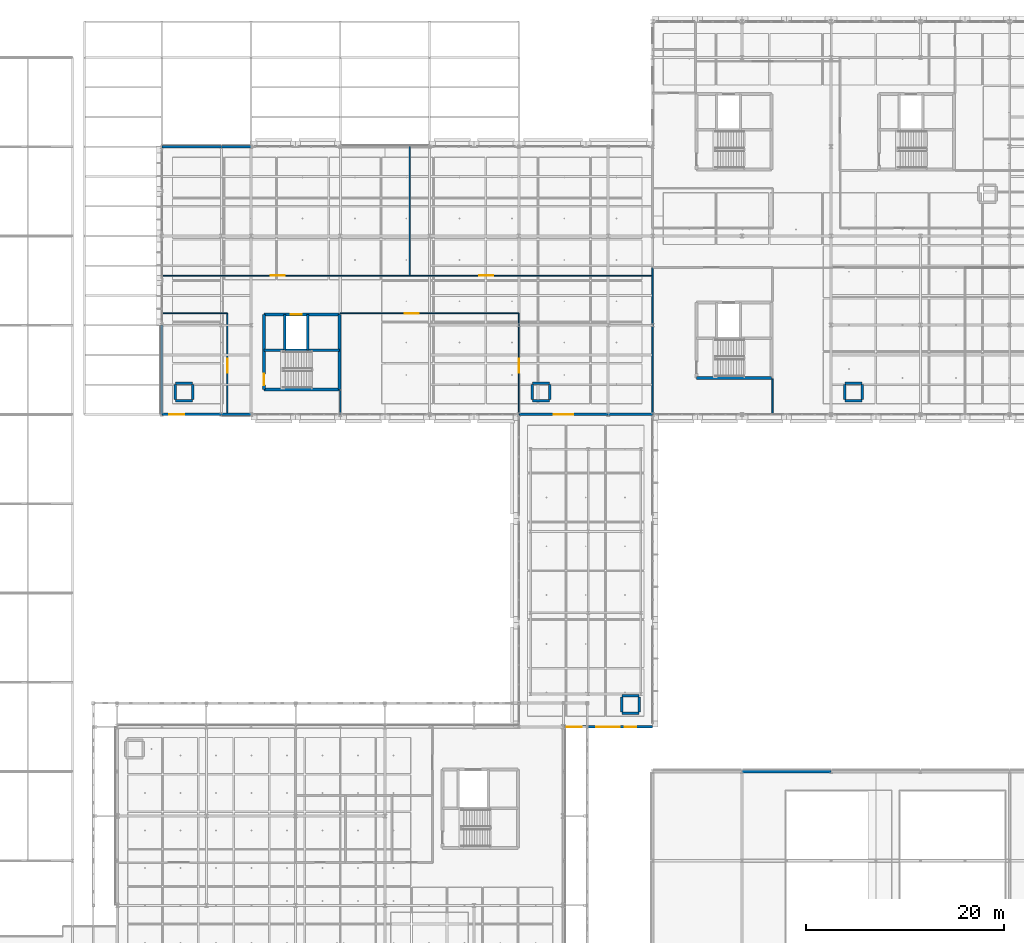
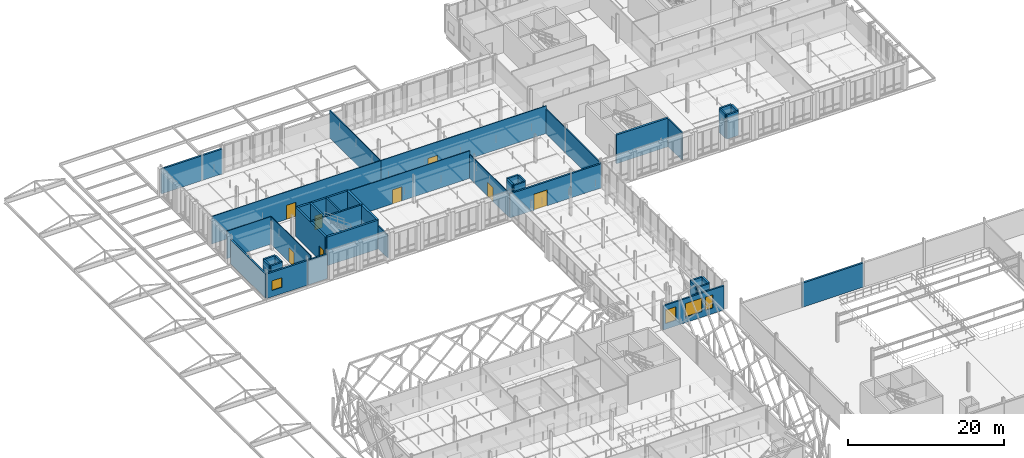
# One storey, part 91 of 140: 43 walls, 8 doors, 4 windows, 12 openings.
"""IFC4 building model written with IfcOpenShell, lengths in metres."""

from ifc_helpers import new_model, si_unit, direction, frame, frame_2d, origin, place, context, subcontext, project, spatial, rectangle, extrude, material, layer, layer_set, type_object, element, fill, save


model = new_model("IFC4")

# Units and contexts
model_context = context("Model", 3, precision=1e-05, world=origin(), true_north=direction((0.0, 1.0)))
body_context = subcontext(model_context, "Body", "Model", "MODEL_VIEW")
ifc_project = project(units=[si_unit("LENGTHUNIT", "METRE"), si_unit("AREAUNIT", "SQUARE_METRE"), si_unit("VOLUMEUNIT", "CUBIC_METRE"), si_unit("PLANEANGLEUNIT", "RADIAN"), si_unit("MASSUNIT", "GRAM", prefix="KILO"), si_unit("THERMODYNAMICTEMPERATUREUNIT", "KELVIN"), si_unit("POWERUNIT", "WATT")], contexts=[model_context])

# Site, building, storey
site_placement = place(None, origin())
site = spatial("IfcSite", under=ifc_project, at=site_placement, CompositionType="ELEMENT")
building_placement = place(site_placement, origin())
building = spatial("IfcBuilding", under=site, at=building_placement, Name="Tallowbark Science Centre", CompositionType="ELEMENT")
storey_placement = place(building_placement, frame((0.0, 0.0, 9.89990234375)))
storey = spatial("IfcBuildingStorey", under=building, at=storey_placement, Name="L02", CompositionType="ELEMENT", Elevation=9.89990234375)

# Wall, openings, windows
ifc_material_1 = material(Name="Hawkesbury Sandstone Faced Masonry Cavity Wall", Category="masonry")
ifc_layer_1 = layer(ifc_material_1, 0.22998046875)
ifc_layer_set_1 = layer_set([ifc_layer_1], Name="Hawkesbury Sandstone Faced Masonry Cavity Wall")
wall_type_1 = type_object("IfcWallType", Name="EWL-MAS-230", PredefinedType="STANDARD", material=ifc_layer_set_1)
wall_1_placement = place(storey_placement, frame((103.5, 40.5, 0.0), z_axis=(0.0, 0.0, 1.0), x_axis=(1.0, 0.0, 0.0)))
wall_1 = element("IfcWall", 1, at=wall_1_placement, inside=storey, type_object=wall_type_1, Name="Exterior Wall LNK-S-L02", PredefinedType="STANDARD", context=body_context, shape_type="SweptSolid", body=[
    extrude(rectangle(XDim=9.0, YDim=0.22998046875, at=frame_2d((4.5, 0.0))), origin(), (0.0, 0.0, 1.0), 3.78125),
])
opening_1_placement = place(wall_1_placement, frame((3.300048828125, 0.0, 0.89990234375)))
opening_1 = element("IfcOpeningElement", 2, at=opening_1_placement, cuts=wall_1, Name="Opening W-06", PredefinedType="OPENING", context=body_context, shape_type="SweptSolid", body=[
    extrude(rectangle(XDim=2.39990234375, YDim=2.10009765625, at=frame_2d((1.199951171875, 1.050048828125))), frame((0.0, 0.125, 0.0), z_axis=(0.0, -1.0, 0.0), x_axis=(1.0, 0.0, 0.0)), (0.0, 0.0, 1.0), 0.25),
])
opening_2_placement = place(wall_1_placement, frame((0.35009765625, 0.0, 0.89990234375)))
opening_2 = element("IfcOpeningElement", 3, at=opening_2_placement, cuts=wall_1, Name="Opening W-03", PredefinedType="OPENING", context=body_context, shape_type="SweptSolid", body=[
    extrude(rectangle(XDim=1.5, YDim=2.10009765625, at=frame_2d((0.75, 1.050048828125))), frame((0.0, 0.125, 0.0), z_axis=(0.0, -1.0, 0.0), x_axis=(1.0, 0.0, 0.0)), (0.0, 0.0, 1.0), 0.25),
])
opening_3_placement = place(wall_1_placement, frame((6.199951171875, 0.0, 0.89990234375)))
opening_3 = element("IfcOpeningElement", 4, at=opening_3_placement, cuts=wall_1, Name="Opening WS-03", PredefinedType="OPENING", context=body_context, shape_type="SweptSolid", body=[
    extrude(rectangle(XDim=1.14990234375, YDim=2.050048828125, at=frame_2d((0.574951171875, 1.02490234375))), frame((0.0, 0.125, 0.0), z_axis=(0.0, -1.0, 0.0), x_axis=(1.0, 0.0, 0.0)), (0.0, 0.0, 1.0), 0.25),
])
ifc_material_2 = material(Name="Thermally Broken Aluminium and Low-E Double Glazing", Category="aluminium")
window_type_1 = type_object("IfcWindowType", Name="WIN-F150x210", PartitioningType="SINGLE_PANEL", PredefinedType="WINDOW", material=ifc_material_2)
window_1_placement = place(opening_2_placement, origin())
window_1 = element("IfcWindow", 5, at=window_1_placement, inside=storey, type_object=window_type_1, Name="Window XOP-03", OverallHeight=2.10009765625, OverallWidth=1.5, PartitioningType="SINGLE_PANEL", PredefinedType="WINDOW", context=body_context, shape_type="SweptSolid", body=[
    extrude(rectangle(XDim=1.5, YDim=2.10009765625, at=frame_2d((0.75, 1.050048828125))), frame((0.0, 0.030029296875, 0.0), z_axis=(0.0, -1.0, 0.0), x_axis=(1.0, 0.0, 0.0)), (0.0, 0.0, 1.0), 0.06005859375),
])
fill(opening_2, window_1)
window_type_2 = type_object("IfcWindowType", Name="WIN-F240x210", PartitioningType="SINGLE_PANEL", PredefinedType="WINDOW", material=ifc_material_2)
window_2_placement = place(opening_1_placement, origin())
window_2 = element("IfcWindow", 6, at=window_2_placement, inside=storey, type_object=window_type_2, Name="Window WIN-L02-0021", OverallHeight=2.10009765625, OverallWidth=2.39990234375, PartitioningType="SINGLE_PANEL", PredefinedType="WINDOW", context=body_context, shape_type="SweptSolid", body=[
    extrude(rectangle(XDim=2.39990234375, YDim=2.10009765625, at=frame_2d((1.199951171875, 1.050048828125))), frame((0.0, 0.030029296875, 0.0), z_axis=(0.0, -1.0, 0.0), x_axis=(1.0, 0.0, 0.0)), (0.0, 0.0, 1.0), 0.06005859375),
])
fill(opening_1, window_2)
window_type_3 = type_object("IfcWindowType", Name="WIN-SP-115x205", PartitioningType="SINGLE_PANEL", PredefinedType="WINDOW", material=ifc_material_2)
window_3_placement = place(opening_3_placement, origin())
window_3 = element("IfcWindow", 7, at=window_3_placement, inside=storey, type_object=window_type_3, Name="Acoustic Window WSP-03", OverallHeight=2.050048828125, OverallWidth=1.14990234375, PartitioningType="SINGLE_PANEL", PredefinedType="WINDOW", context=body_context, shape_type="SweptSolid", body=[
    extrude(rectangle(XDim=1.14990234375, YDim=2.050048828125, at=frame_2d((0.574951171875, 1.02490234375))), frame((0.0, 0.030029296875, 0.0), z_axis=(0.0, -1.0, 0.0), x_axis=(1.0, 0.0, 0.0)), (0.0, 0.0, 1.0), 0.06005859375),
])
fill(opening_3, window_3)

# Wall, opening, window
ifc_material_3 = material(Name="Insulated Precast Concrete Panel Grade N40 (40 MPa)", Category="concrete")
ifc_layer_2 = layer(ifc_material_3, 0.25)
ifc_layer_set_2 = layer_set([ifc_layer_2], Name="Insulated Precast Concrete Panel Grade N40 (40 MPa)")
wall_type_2 = type_object("IfcWallType", Name="EWL-PRC-250", PredefinedType="STANDARD", material=ifc_layer_set_2)
wall_2_placement = place(storey_placement, frame((63.0, 72.0, 0.0), z_axis=(0.0, 0.0, 1.0), x_axis=(1.0, 0.0, 0.0)))
wall_2 = element("IfcWall", 8, at=wall_2_placement, inside=storey, type_object=wall_type_2, Name="Exterior Wall LAB-S-L02-63", PredefinedType="STANDARD", context=body_context, shape_type="SweptSolid", body=[
    extrude(rectangle(XDim=6.0, YDim=0.25, at=frame_2d((3.0, 0.0))), origin(), (0.0, 0.0, 1.0), 3.84619140625),
])
opening_4_placement = place(wall_2_placement, frame((0.75, 0.0, 1.0)))
opening_4 = element("IfcOpeningElement", 9, at=opening_4_placement, cuts=wall_2, Name="Opening W-08", PredefinedType="OPENING", context=body_context, shape_type="SweptSolid", body=[
    extrude(rectangle(XDim=1.5, YDim=1.5, at=frame_2d((0.75, 0.75))), frame((0.0, 0.135009765625, 0.0), z_axis=(0.0, -1.0, 0.0), x_axis=(1.0, 0.0, 0.0)), (0.0, 0.0, 1.0), 0.27001953125),
])
window_type_4 = type_object("IfcWindowType", Name="WIN-F150x150", PartitioningType="SINGLE_PANEL", PredefinedType="WINDOW", material=ifc_material_2)
window_4_placement = place(opening_4_placement, origin())
window_4 = element("IfcWindow", 10, at=window_4_placement, inside=storey, type_object=window_type_4, Name="Window WIN-L02-0034", OverallHeight=1.5, OverallWidth=1.5, PartitioningType="SINGLE_PANEL", PredefinedType="WINDOW", context=body_context, shape_type="SweptSolid", body=[
    extrude(rectangle(XDim=1.5, YDim=1.5, at=frame_2d((0.75, 0.75))), frame((0.0, 0.030029296875, 0.0), z_axis=(0.0, -1.0, 0.0), x_axis=(1.0, 0.0, 0.0)), (0.0, 0.0, 1.0), 0.06005859375),
])
fill(opening_4, window_4)

# Wall
wall_3_placement = place(storey_placement, frame((69.0, 72.0, 0.0), z_axis=(0.0, 0.0, 1.0), x_axis=(1.0, 0.0, 0.0)))
element("IfcWall", 11, at=wall_3_placement, inside=storey, type_object=wall_type_2, Name="Exterior Wall LAB-S-L02-69", PredefinedType="STANDARD", context=body_context, shape_type="SweptSolid", body=[
    extrude(rectangle(XDim=3.0, YDim=0.25, at=frame_2d((1.5, 0.0))), origin(), (0.0, 0.0, 1.0), 3.84619140625),
])

# Wall, opening, door
wall_4_placement = place(storey_placement, frame((99.0, 72.0, 0.0), z_axis=(0.0, 0.0, 1.0), x_axis=(1.0, 0.0, 0.0)))
wall_4 = element("IfcWall", 12, at=wall_4_placement, inside=storey, type_object=wall_type_2, Name="Interior Link Wall LAB-LNK-INT-L02-A", PredefinedType="STANDARD", context=body_context, shape_type="SweptSolid", body=[
    extrude(rectangle(XDim=9.0, YDim=0.25, at=frame_2d((4.5, 0.0))), origin(), (0.0, 0.0, 1.0), 3.78125),
])
opening_5_placement = place(wall_4_placement, frame((3.5, 0.0, 0.0)))
opening_5 = element("IfcOpeningElement", 13, at=opening_5_placement, cuts=wall_4, Name="Opening ED-02", PredefinedType="OPENING", context=body_context, shape_type="SweptSolid", body=[
    extrude(rectangle(XDim=2.0, YDim=2.5, at=frame_2d((1.0, 1.25))), frame((0.0, 0.135009765625, 0.0), z_axis=(0.0, -1.0, 0.0), x_axis=(1.0, 0.0, 0.0)), (0.0, 0.0, 1.0), 0.27001953125),
])
ifc_material_4 = material(Name="Thermally Broken Glazed Aluminium Frame", Category="aluminium")
door_type_1 = type_object("IfcDoorType", Name="EDR-GLZ-200", OperationType="DOUBLE_DOOR_SINGLE_SWING", PredefinedType="DOOR", material=ifc_material_4)
door_1_placement = place(opening_5_placement, origin())
door_1 = element("IfcDoor", 14, at=door_1_placement, inside=storey, type_object=door_type_1, Name="Link Door EDR-L02-030", OperationType="DOUBLE_DOOR_SINGLE_SWING", OverallHeight=2.5, OverallWidth=2.0, PredefinedType="DOOR", context=body_context, shape_type="SweptSolid", body=[
    extrude(rectangle(XDim=2.0, YDim=2.5, at=frame_2d((1.0, 1.25))), frame((0.0, 0.02490234375, 0.0), z_axis=(0.0, -1.0, 0.0), x_axis=(1.0, 0.0, 0.0)), (0.0, 0.0, 1.0), 0.050048828125),
])
fill(opening_5, door_1)

# Walls
wall_5_placement = place(storey_placement, frame((108.0, 72.0, 0.0), z_axis=(0.0, 0.0, 1.0), x_axis=(1.0, 0.0, 0.0)))
element("IfcWall", 15, at=wall_5_placement, inside=storey, type_object=wall_type_2, Name="Interior Link Wall LAB-LNK-INT-L02-B", PredefinedType="STANDARD", context=body_context, shape_type="SweptSolid", body=[
    extrude(rectangle(XDim=4.5, YDim=0.25, at=frame_2d((2.25, 0.0))), origin(), (0.0, 0.0, 1.0), 3.78125),
])
wall_6_placement = place(storey_placement, frame((63.0, 81.0, 0.0), z_axis=(0.0, 0.0, 1.0), x_axis=(0.0, -1.0, 0.0)))
element("IfcWall", 16, at=wall_6_placement, inside=storey, type_object=wall_type_2, Name="Exterior Wall LAB-W-L02-72", PredefinedType="STANDARD", context=body_context, shape_type="SweptSolid", body=[
    extrude(rectangle(XDim=9.0, YDim=0.25, at=frame_2d((4.5, 0.0))), origin(), (0.0, 0.0, 1.0), 3.77197265625),
])
wall_7_placement = place(storey_placement, frame((69.0, 99.0, 0.0), z_axis=(0.0, 0.0, 1.0), x_axis=(-1.0, 0.0, 0.0)))
element("IfcWall", 17, at=wall_7_placement, inside=storey, type_object=wall_type_2, Name="Exterior Wall LAB-N-L02-63", PredefinedType="STANDARD", context=body_context, shape_type="SweptSolid", body=[
    extrude(rectangle(XDim=6.0, YDim=0.25, at=frame_2d((3.0, 0.0))), origin(), (0.0, 0.0, 1.0), 3.893798828125),
])
wall_8_placement = place(storey_placement, frame((72.0, 99.0, 0.0), z_axis=(0.0, 0.0, 1.0), x_axis=(-1.0, 0.0, 0.0)))
element("IfcWall", 18, at=wall_8_placement, inside=storey, type_object=wall_type_2, Name="Exterior Wall LAB-N-L02-69", PredefinedType="STANDARD", context=body_context, shape_type="SweptSolid", body=[
    extrude(rectangle(XDim=3.0, YDim=0.25, at=frame_2d((1.5, 0.0))), origin(), (0.0, 0.0, 1.0), 3.893798828125),
])
ifc_material_5 = material(Name="Insulated Ribbed Precast Concrete Panel Grade N40 (40 MPa)", Category="concrete")
ifc_layer_3 = layer(ifc_material_5, 0.264892578125)
ifc_layer_set_3 = layer_set([ifc_layer_3], Name="Insulated Ribbed Precast Concrete Panel Grade N40 (40 MPa)")
wall_type_3 = type_object("IfcWallType", Name="EWL-PRC-265", PredefinedType="STANDARD", material=ifc_layer_set_3)
wall_9_placement = place(storey_placement, frame((130.5, 36.0, 0.0), z_axis=(0.0, 0.0, 1.0), x_axis=(-1.0, 0.0, 0.0)))
element("IfcWall", 19, at=wall_9_placement, inside=storey, type_object=wall_type_3, Name="Exterior Wall THT-N-L02-1", PredefinedType="STANDARD", context=body_context, shape_type="SweptSolid", body=[
    extrude(rectangle(XDim=9.0, YDim=0.264892578125, at=frame_2d((4.5, 0.0))), origin(), (0.0, 0.0, 1.0), 3.78125),
])
ifc_material_6 = material(Name="132 mm Acoustic Laboratory Steel Stud Partition", Category="steel")
ifc_layer_4 = layer(ifc_material_6, 0.132080078125)
ifc_layer_set_4 = layer_set([ifc_layer_4], Name="132 mm Acoustic Laboratory Steel Stud Partition")
wall_type_4 = type_object("IfcWallType", Name="PTW-132", PredefinedType="PARTITIONING", material=ifc_layer_set_4)
wall_10_placement = place(storey_placement, frame((81.0, 72.0, 0.0), z_axis=(0.0, 0.0, 1.0), x_axis=(0.0, 1.0, 0.0)))
element("IfcWall", 20, at=wall_10_placement, inside=storey, type_object=wall_type_4, Name="Interior Partition PTW-L02-0226", PredefinedType="PARTITIONING", context=body_context, shape_type="SweptSolid", body=[
    extrude(rectangle(XDim=2.39990234375, YDim=0.132080078125, at=frame_2d((1.199951171875, 0.0))), origin(), (0.0, 0.0, 1.0), 3.60009765625),
])
wall_11_placement = place(storey_placement, frame((88.0, 86.0, 0.0), z_axis=(0.0, 0.0, 1.0), x_axis=(0.0, 1.0, 0.0)))
element("IfcWall", 21, at=wall_11_placement, inside=storey, type_object=wall_type_4, Name="Interior Partition PTW-L02-0231", PredefinedType="PARTITIONING", context=body_context, shape_type="SweptSolid", body=[
    extrude(rectangle(XDim=13.0, YDim=0.132080078125, at=frame_2d((6.5, 0.0))), origin(), (0.0, 0.0, 1.0), 4.320068359375),
])
ifc_material_7 = material(Name="162 mm Double-Stud Fire-Rated Corridor Partition")
ifc_layer_5 = layer(ifc_material_7, 0.162109375)
ifc_layer_set_5 = layer_set([ifc_layer_5], Name="162 mm Double-Stud Fire-Rated Corridor Partition")
wall_type_5 = type_object("IfcWallType", Name="PTW-162", PredefinedType="PARTITIONING", material=ifc_layer_set_5)
wall_12_placement = place(storey_placement, frame((112.5, 72.0, 0.0), z_axis=(0.0, 0.0, 1.0), x_axis=(0.0, 1.0, 0.0)))
element("IfcWall", 22, at=wall_12_placement, inside=storey, type_object=wall_type_5, Name="Interior Partition PTW-L02-0005", PredefinedType="PARTITIONING", context=body_context, shape_type="SweptSolid", body=[
    extrude(rectangle(XDim=14.800048828125, YDim=0.162109375, at=frame_2d((7.39990234375, 0.0))), origin(), (0.0, 0.0, 1.0), 3.84619140625),
])
wall_13_placement = place(storey_placement, frame((124.60009765625, 72.0, 0.0), z_axis=(0.0, 0.0, 1.0), x_axis=(0.0, 1.0, 0.0)))
element("IfcWall", 23, at=wall_13_placement, inside=storey, type_object=wall_type_5, Name="Interior Partition PTW-L02-0032", PredefinedType="PARTITIONING", context=body_context, shape_type="SweptSolid", body=[
    extrude(rectangle(XDim=3.60009765625, YDim=0.162109375, at=frame_2d((1.800048828125, 0.0))), origin(), (0.0, 0.0, 1.0), 4.320068359375),
])

# Wall, opening, door
ifc_material_8 = material(Name="108 mm Acoustic Double-Glazed Laboratory Partition")
ifc_layer_6 = layer(ifc_material_8, 0.10791015625)
ifc_layer_set_6 = layer_set([ifc_layer_6], Name="108 mm Acoustic Double-Glazed Laboratory Partition")
wall_type_6 = type_object("IfcWallType", Name="PTW-GLZ-108", PredefinedType="PARTITIONING", material=ifc_layer_set_6)
wall_14_placement = place(storey_placement, frame((69.60009765625, 72.0, 0.0), z_axis=(0.0, 0.0, 1.0), x_axis=(0.0, 1.0, 0.0)))
wall_14 = element("IfcWall", 24, at=wall_14_placement, inside=storey, type_object=wall_type_6, Name="Interior Partition PTW-L02-0224", PredefinedType="PARTITIONING", context=body_context, shape_type="SweptSolid", body=[
    extrude(rectangle(XDim=10.199951171875, YDim=0.10791015625, at=frame_2d((5.10009765625, 0.0))), origin(), (0.0, 0.0, 1.0), 4.320068359375),
])
opening_6_placement = place(wall_14_placement, frame((4.199951171875, 0.0, 0.0)))
opening_6 = element("IfcOpeningElement", 25, at=opening_6_placement, cuts=wall_14, Name="Opening ID-01", PredefinedType="OPENING", context=body_context, shape_type="SweptSolid", body=[
    extrude(rectangle(XDim=1.39990234375, YDim=2.199951171875, at=frame_2d((0.699951171875, 1.10009765625))), frame((0.0, 0.06396484375, 0.0), z_axis=(0.0, -1.0, 0.0), x_axis=(1.0, 0.0, 0.0)), (0.0, 0.0, 1.0), 0.1279296875),
])
ifc_material_9 = material(Name="Vision-Panel Leaf and Unequal Side Leaf")
door_type_2 = type_object("IfcDoorType", Name="IDR-LAB-140", OperationType="DOUBLE_DOOR_SINGLE_SWING", PredefinedType="DOOR", material=ifc_material_9)
door_2_placement = place(opening_6_placement, origin())
door_2 = element("IfcDoor", 26, at=door_2_placement, inside=storey, type_object=door_type_2, Name="Interior Door IDR-L02-0095", OperationType="DOUBLE_DOOR_SINGLE_SWING", OverallHeight=2.199951171875, OverallWidth=1.39990234375, PredefinedType="DOOR", context=body_context, shape_type="SweptSolid", body=[
    extrude(rectangle(XDim=1.39990234375, YDim=2.199951171875, at=frame_2d((0.699951171875, 1.10009765625))), frame((0.0, 0.02490234375, 0.0), z_axis=(0.0, -1.0, 0.0), x_axis=(1.0, 0.0, 0.0)), (0.0, 0.0, 1.0), 0.050048828125),
])
fill(opening_6, door_2)

# Wall
wall_15_placement = place(storey_placement, frame((63.0, 82.199951171875, 0.0), z_axis=(0.0, 0.0, 1.0), x_axis=(1.0, 0.0, 0.0)))
element("IfcWall", 27, at=wall_15_placement, inside=storey, type_object=wall_type_6, Name="Interior Partition PTW-L02-0225", PredefinedType="PARTITIONING", context=body_context, shape_type="SweptSolid", body=[
    extrude(rectangle(XDim=6.60009765625, YDim=0.10791015625, at=frame_2d((3.300048828125, 0.0))), origin(), (0.0, 0.0, 1.0), 4.320068359375),
])

# Wall, opening, door
wall_16_placement = place(storey_placement, frame((99.0, 72.0, 0.0), z_axis=(0.0, 0.0, 1.0), x_axis=(0.0, 1.0, 0.0)))
wall_16 = element("IfcWall", 28, at=wall_16_placement, inside=storey, type_object=wall_type_6, Name="Interior Partition PTW-L02-0227", PredefinedType="PARTITIONING", context=body_context, shape_type="SweptSolid", body=[
    extrude(rectangle(XDim=10.199951171875, YDim=0.10791015625, at=frame_2d((5.10009765625, 0.0))), origin(), (0.0, 0.0, 1.0), 3.77197265625),
])
opening_7_placement = place(wall_16_placement, frame((4.199951171875, 0.0, 0.0)))
opening_7 = element("IfcOpeningElement", 29, at=opening_7_placement, cuts=wall_16, Name="Opening ID-01", PredefinedType="OPENING", context=body_context, shape_type="SweptSolid", body=[
    extrude(rectangle(XDim=1.39990234375, YDim=2.199951171875, at=frame_2d((0.699951171875, 1.10009765625))), frame((0.0, 0.06396484375, 0.0), z_axis=(0.0, -1.0, 0.0), x_axis=(1.0, 0.0, 0.0)), (0.0, 0.0, 1.0), 0.1279296875),
])
door_3_placement = place(opening_7_placement, origin())
door_3 = element("IfcDoor", 30, at=door_3_placement, inside=storey, type_object=door_type_2, Name="Interior Door IDR-L02-0096", OperationType="DOUBLE_DOOR_SINGLE_SWING", OverallHeight=2.199951171875, OverallWidth=1.39990234375, PredefinedType="DOOR", context=body_context, shape_type="SweptSolid", body=[
    extrude(rectangle(XDim=1.39990234375, YDim=2.199951171875, at=frame_2d((0.699951171875, 1.10009765625))), frame((0.0, 0.02490234375, 0.0), z_axis=(0.0, -1.0, 0.0), x_axis=(1.0, 0.0, 0.0)), (0.0, 0.0, 1.0), 0.050048828125),
])
fill(opening_7, door_3)

wall_17_placement = place(storey_placement, frame((81.0, 82.199951171875, 0.0), z_axis=(0.0, 0.0, 1.0), x_axis=(1.0, 0.0, 0.0)))
wall_17 = element("IfcWall", 31, at=wall_17_placement, inside=storey, type_object=wall_type_6, Name="Interior Partition PTW-L02-0228", PredefinedType="PARTITIONING", context=body_context, shape_type="SweptSolid", body=[
    extrude(rectangle(XDim=18.0, YDim=0.10791015625, at=frame_2d((9.0, 0.0))), origin(), (0.0, 0.0, 1.0), 4.320068359375),
])
opening_8_placement = place(wall_17_placement, frame((6.5, 0.0, 0.0)))
opening_8 = element("IfcOpeningElement", 32, at=opening_8_placement, cuts=wall_17, Name="Opening ID-01", PredefinedType="OPENING", context=body_context, shape_type="SweptSolid", body=[
    extrude(rectangle(XDim=1.39990234375, YDim=2.199951171875, at=frame_2d((0.699951171875, 1.10009765625))), frame((0.0, 0.06396484375, 0.0), z_axis=(0.0, -1.0, 0.0), x_axis=(1.0, 0.0, 0.0)), (0.0, 0.0, 1.0), 0.1279296875),
])
door_4_placement = place(opening_8_placement, origin())
door_4 = element("IfcDoor", 33, at=door_4_placement, inside=storey, type_object=door_type_2, Name="Interior Door IDR-L02-0097", OperationType="DOUBLE_DOOR_SINGLE_SWING", OverallHeight=2.199951171875, OverallWidth=1.39990234375, PredefinedType="DOOR", context=body_context, shape_type="SweptSolid", body=[
    extrude(rectangle(XDim=1.39990234375, YDim=2.199951171875, at=frame_2d((0.699951171875, 1.10009765625))), frame((0.0, 0.02490234375, 0.0), z_axis=(0.0, -1.0, 0.0), x_axis=(1.0, 0.0, 0.0)), (0.0, 0.0, 1.0), 0.050048828125),
])
fill(opening_8, door_4)

wall_18_placement = place(storey_placement, frame((63.0, 86.0, 0.0), z_axis=(0.0, 0.0, 1.0), x_axis=(1.0, 0.0, 0.0)))
wall_18 = element("IfcWall", 34, at=wall_18_placement, inside=storey, type_object=wall_type_6, Name="Interior Partition PTW-L02-0229", PredefinedType="PARTITIONING", context=body_context, shape_type="SweptSolid", body=[
    extrude(rectangle(XDim=25.0, YDim=0.10791015625, at=frame_2d((12.5, 0.0))), origin(), (0.0, 0.0, 1.0), 4.320068359375),
])
opening_9_placement = place(wall_18_placement, frame((11.0, 0.0, 0.0)))
opening_9 = element("IfcOpeningElement", 35, at=opening_9_placement, cuts=wall_18, Name="Opening ID-01", PredefinedType="OPENING", context=body_context, shape_type="SweptSolid", body=[
    extrude(rectangle(XDim=1.39990234375, YDim=2.199951171875, at=frame_2d((0.699951171875, 1.10009765625))), frame((0.0, 0.06396484375, 0.0), z_axis=(0.0, -1.0, 0.0), x_axis=(1.0, 0.0, 0.0)), (0.0, 0.0, 1.0), 0.1279296875),
])
door_5_placement = place(opening_9_placement, origin())
door_5 = element("IfcDoor", 36, at=door_5_placement, inside=storey, type_object=door_type_2, Name="Interior Door IDR-L02-0098", OperationType="DOUBLE_DOOR_SINGLE_SWING", OverallHeight=2.199951171875, OverallWidth=1.39990234375, PredefinedType="DOOR", context=body_context, shape_type="SweptSolid", body=[
    extrude(rectangle(XDim=1.39990234375, YDim=2.199951171875, at=frame_2d((0.699951171875, 1.10009765625))), frame((0.0, 0.02490234375, 0.0), z_axis=(0.0, -1.0, 0.0), x_axis=(1.0, 0.0, 0.0)), (0.0, 0.0, 1.0), 0.050048828125),
])
fill(opening_9, door_5)

wall_19_placement = place(storey_placement, frame((88.0, 86.0, 0.0), z_axis=(0.0, 0.0, 1.0), x_axis=(1.0, 0.0, 0.0)))
wall_19 = element("IfcWall", 37, at=wall_19_placement, inside=storey, type_object=wall_type_6, Name="Interior Partition PTW-L02-0230", PredefinedType="PARTITIONING", context=body_context, shape_type="SweptSolid", body=[
    extrude(rectangle(XDim=24.5, YDim=0.10791015625, at=frame_2d((12.25, 0.0))), origin(), (0.0, 0.0, 1.0), 4.320068359375),
])
opening_10_placement = place(wall_19_placement, frame((7.0, 0.0, 0.0)))
opening_10 = element("IfcOpeningElement", 38, at=opening_10_placement, cuts=wall_19, Name="Opening ID-01", PredefinedType="OPENING", context=body_context, shape_type="SweptSolid", body=[
    extrude(rectangle(XDim=1.39990234375, YDim=2.199951171875, at=frame_2d((0.699951171875, 1.10009765625))), frame((0.0, 0.06396484375, 0.0), z_axis=(0.0, -1.0, 0.0), x_axis=(1.0, 0.0, 0.0)), (0.0, 0.0, 1.0), 0.1279296875),
])
door_6_placement = place(opening_10_placement, origin())
door_6 = element("IfcDoor", 39, at=door_6_placement, inside=storey, type_object=door_type_2, Name="Interior Door IDR-L02-0099", OperationType="DOUBLE_DOOR_SINGLE_SWING", OverallHeight=2.199951171875, OverallWidth=1.39990234375, PredefinedType="DOOR", context=body_context, shape_type="SweptSolid", body=[
    extrude(rectangle(XDim=1.39990234375, YDim=2.199951171875, at=frame_2d((0.699951171875, 1.10009765625))), frame((0.0, 0.02490234375, 0.0), z_axis=(0.0, -1.0, 0.0), x_axis=(1.0, 0.0, 0.0)), (0.0, 0.0, 1.0), 0.050048828125),
])
fill(opening_10, door_6)

ifc_material_10 = material(Name="Concrete Grade N40 (40 MPa)", Category="concrete")
ifc_layer_7 = layer(ifc_material_10, 0.300048828125)
ifc_layer_set_7 = layer_set([ifc_layer_7], Name="Concrete Grade N40 (40 MPa)")
wall_type_7 = type_object("IfcWallType", Name="WL-CORE-300", PredefinedType="SHEAR", material=ifc_layer_set_7)
wall_20_placement = place(storey_placement, frame((73.300048828125, 74.5, 0.0), z_axis=(0.0, 0.0, 1.0), x_axis=(0.0, 1.0, 0.0)))
wall_20 = element("IfcWall", 40, at=wall_20_placement, inside=storey, type_object=wall_type_7, Name="Core C1 Shear Wall L02 W", PredefinedType="SHEAR", context=body_context, shape_type="SweptSolid", body=[
    extrude(rectangle(XDim=7.60009765625, YDim=0.300048828125, at=frame_2d((3.800048828125, 0.0))), origin(), (0.0, 0.0, 1.0), 4.5),
])
opening_11_placement = place(wall_20_placement, frame((0.449951171875, 0.0, 0.0)))
opening_11 = element("IfcOpeningElement", 41, at=opening_11_placement, cuts=wall_20, Name="Opening FD-01", PredefinedType="OPENING", context=body_context, shape_type="SweptSolid", body=[
    extrude(rectangle(XDim=1.14990234375, YDim=2.14990234375, at=frame_2d((0.574951171875, 1.074951171875))), frame((0.0, 0.16015625, 0.0), z_axis=(0.0, -1.0, 0.0), x_axis=(1.0, 0.0, 0.0)), (0.0, 0.0, 1.0), 0.320068359375),
])
ifc_material_11 = material(Name="Fire-Rated Pressed Steel Frame and Solid Core Leaf", Category="steel")
door_type_3 = type_object("IfcDoorType", Name="FDR-STR-115", OperationType="NOTDEFINED", PredefinedType="DOOR", material=ifc_material_11)
door_7_placement = place(opening_11_placement, origin())
door_7 = element("IfcDoor", 42, at=door_7_placement, inside=storey, type_object=door_type_3, Name="Stair ST-01 Fire Door L02", OperationType="SINGLE_SWING_RIGHT", OverallHeight=2.14990234375, OverallWidth=1.14990234375, PredefinedType="DOOR", context=body_context, shape_type="SweptSolid", body=[
    extrude(rectangle(XDim=1.14990234375, YDim=2.14990234375, at=frame_2d((0.574951171875, 1.074951171875))), frame((0.0, 0.02490234375, 0.0), z_axis=(0.0, -1.0, 0.0), x_axis=(1.0, 0.0, 0.0)), (0.0, 0.0, 1.0), 0.050048828125),
])
fill(opening_11, door_7)

# Walls
wall_21_placement = place(storey_placement, frame((80.89990234375, 74.5, 0.0), z_axis=(0.0, 0.0, 1.0), x_axis=(0.0, 1.0, 0.0)))
element("IfcWall", 43, at=wall_21_placement, inside=storey, type_object=wall_type_7, Name="Core C1 Shear Wall L02 E", PredefinedType="SHEAR", context=body_context, shape_type="SweptSolid", body=[
    extrude(rectangle(XDim=7.60009765625, YDim=0.300048828125, at=frame_2d((3.800048828125, 0.0))), origin(), (0.0, 0.0, 1.0), 4.5),
])
wall_22_placement = place(storey_placement, frame((73.300048828125, 74.5, 0.0), z_axis=(0.0, 0.0, 1.0), x_axis=(1.0, 0.0, 0.0)))
element("IfcWall", 44, at=wall_22_placement, inside=storey, type_object=wall_type_7, Name="Core C1 Shear Wall L02 S", PredefinedType="SHEAR", context=body_context, shape_type="SweptSolid", body=[
    extrude(rectangle(XDim=7.599853515625, YDim=0.300048828125, at=frame_2d((3.7998046875, 0.0))), origin(), (0.0, 0.0, 1.0), 4.5),
])

# Wall, opening, door
wall_23_placement = place(storey_placement, frame((73.300048828125, 82.10009765625, 0.0), z_axis=(0.0, 0.0, 1.0), x_axis=(1.0, 0.0, 0.0)))
wall_23 = element("IfcWall", 45, at=wall_23_placement, inside=storey, type_object=wall_type_7, Name="Core C1 Shear Wall L02 N", PredefinedType="SHEAR", context=body_context, shape_type="SweptSolid", body=[
    extrude(rectangle(XDim=7.599853515625, YDim=0.300048828125, at=frame_2d((3.7998046875, 0.0))), origin(), (0.0, 0.0, 1.0), 4.5),
])
opening_12_placement = place(wall_23_placement, frame((2.699951171875, 0.0, 0.0)))
opening_12 = element("IfcOpeningElement", 46, at=opening_12_placement, cuts=wall_23, Name="Opening LD-01", PredefinedType="OPENING", context=body_context, shape_type="SweptSolid", body=[
    extrude(rectangle(XDim=1.10009765625, YDim=2.199951171875, at=frame_2d((0.550048828125, 1.10009765625))), frame((0.0, 0.16015625, 0.0), z_axis=(0.0, -1.0, 0.0), x_axis=(1.0, 0.0, 0.0)), (0.0, 0.0, 1.0), 0.320068359375),
])
ifc_material_12 = material(Name="Brushed Stainless Steel Centre-Parting Lift Landing Door", Category="steel")
door_type_4 = type_object("IfcDoorType", Name="LDR-LFT-110", OperationType="DOUBLE_DOOR_SLIDING", PredefinedType="DOOR", material=ifc_material_12)
door_8_placement = place(opening_12_placement, origin())
door_8 = element("IfcDoor", 47, at=door_8_placement, inside=storey, type_object=door_type_4, Name="Lift LF-01 Landing Door L02", OperationType="DOUBLE_DOOR_SLIDING", OverallHeight=2.199951171875, OverallWidth=1.10009765625, PredefinedType="DOOR", context=body_context, shape_type="SweptSolid", body=[
    extrude(rectangle(XDim=1.10009765625, YDim=2.199951171875, at=frame_2d((0.550048828125, 1.10009765625))), frame((0.0, 0.02490234375, 0.0), z_axis=(0.0, -1.0, 0.0), x_axis=(1.0, 0.0, 0.0)), (0.0, 0.0, 1.0), 0.050048828125),
])
fill(opening_12, door_8)

# Walls
wall_24_placement = place(storey_placement, frame((116.89990234375, 75.699951171875, 0.0), z_axis=(0.0, 0.0, 1.0), x_axis=(1.0, 0.0, 0.0)))
element("IfcWall", 48, at=wall_24_placement, inside=storey, type_object=wall_type_7, Name="Core C2 Shear Wall L02 S", PredefinedType="SHEAR", context=body_context, shape_type="SweptSolid", body=[
    extrude(rectangle(XDim=7.60009765625, YDim=0.300048828125, at=frame_2d((3.800048828125, 0.0))), origin(), (0.0, 0.0, 1.0), 4.5),
])
ifc_layer_8 = layer(ifc_material_10, 0.25)
ifc_layer_set_8 = layer_set([ifc_layer_8], Name="Concrete Grade N40 (40 MPa)")
wall_type_8 = type_object("IfcWallType", Name="WL-SHAFT-250", PredefinedType="SHEAR", material=ifc_layer_set_8)
wall_25_placement = place(storey_placement, frame((73.300048828125, 78.4951171875, 0.0), z_axis=(0.0, 0.0, 1.0), x_axis=(1.0, 0.0, 0.0)))
element("IfcWall", 49, at=wall_25_placement, inside=storey, type_object=wall_type_8, Name="Core C1 Shear Wall L02 MID", PredefinedType="SHEAR", context=body_context, shape_type="SweptSolid", body=[
    extrude(rectangle(XDim=7.599853515625, YDim=0.25, at=frame_2d((3.7998046875, 0.0))), origin(), (0.0, 0.0, 1.0), 4.5),
])
for number, where, z_axis, x_axis, name in (
    (50, (75.375, 78.4951171875, 0.0), (0.0, 0.0, 1.0), (0.0, 1.0, 0.0), "Core C1 Shear Wall L02 LW"),
    (51, (77.72509765625, 78.4951171875, 0.0), (0.0, 0.0, 1.0), (0.0, 1.0, 0.0), "Core C1 Shear Wall L02 LE"),
):
    element("IfcWall", number, at=place(storey_placement, frame(where, z_axis=z_axis, x_axis=x_axis)), inside=storey, type_object=wall_type_8, Name=name, PredefinedType="SHEAR", context=body_context, shape_type="SweptSolid", body=[
        extrude(rectangle(XDim=3.60498046875, YDim=0.25, at=frame_2d((1.802490234375, 0.0))), origin(), (0.0, 0.0, 1.0), 4.5),
    ])
for number, where, z_axis, x_axis, name in (
    (52, (109.39990234375, 41.875, 0.0), (0.0, 0.0, 1.0), (1.0, 0.0, 0.0), "Service Riser Shaft Wall RSR-LNK L02 S"),
    (53, (109.39990234375, 43.625, 0.0), (0.0, 0.0, 1.0), (1.0, 0.0, 0.0), "Service Riser Shaft Wall RSR-LNK L02 N"),
):
    element("IfcWall", number, at=place(storey_placement, frame(where, z_axis=z_axis, x_axis=x_axis)), inside=storey, type_object=wall_type_8, Name=name, PredefinedType="SHEAR", context=body_context, shape_type="SweptSolid", body=[
        extrude(rectangle(XDim=1.7001953125, YDim=0.25, at=frame_2d((0.85009765625, 0.0))), origin(), (0.0, 0.0, 1.0), 3.77001953125),
    ])
for number, where, z_axis, x_axis, name in (
    (54, (109.375, 42.0, 0.0), (0.0, 0.0, 1.0), (0.0, 1.0, 0.0), "Service Riser Shaft Wall RSR-LNK L02 W"),
    (55, (111.125, 42.0, 0.0), (0.0, 0.0, 1.0), (0.0, 1.0, 0.0), "Service Riser Shaft Wall RSR-LNK L02 E"),
):
    element("IfcWall", number, at=place(storey_placement, frame(where, z_axis=z_axis, x_axis=x_axis)), inside=storey, type_object=wall_type_8, Name=name, PredefinedType="SHEAR", context=body_context, shape_type="SweptSolid", body=[
        extrude(rectangle(XDim=1.5, YDim=0.25, at=frame_2d((0.75, 0.0))), origin(), (0.0, 0.0, 1.0), 3.77001953125),
    ])
for number, where, z_axis, x_axis, name in (
    (56, (64.39990234375, 73.375, 0.0), (0.0, 0.0, 1.0), (1.0, 0.0, 0.0), "Service Riser Shaft Wall RSR-LAB-W L02 S"),
    (57, (64.39990234375, 75.125, 0.0), (0.0, 0.0, 1.0), (1.0, 0.0, 0.0), "Service Riser Shaft Wall RSR-LAB-W L02 N"),
):
    element("IfcWall", number, at=place(storey_placement, frame(where, z_axis=z_axis, x_axis=x_axis)), inside=storey, type_object=wall_type_8, Name=name, PredefinedType="SHEAR", context=body_context, shape_type="SweptSolid", body=[
        extrude(rectangle(XDim=1.7001953125, YDim=0.25, at=frame_2d((0.85009765625, 0.0))), origin(), (0.0, 0.0, 1.0), 3.77001953125),
    ])
for number, where, z_axis, x_axis, name in (
    (58, (64.375, 73.5, 0.0), (0.0, 0.0, 1.0), (0.0, 1.0, 0.0), "Service Riser Shaft Wall RSR-LAB-W L02 W"),
    (59, (66.125, 73.5, 0.0), (0.0, 0.0, 1.0), (0.0, 1.0, 0.0), "Service Riser Shaft Wall RSR-LAB-W L02 E"),
):
    element("IfcWall", number, at=place(storey_placement, frame(where, z_axis=z_axis, x_axis=x_axis)), inside=storey, type_object=wall_type_8, Name=name, PredefinedType="SHEAR", context=body_context, shape_type="SweptSolid", body=[
        extrude(rectangle(XDim=1.5, YDim=0.25, at=frame_2d((0.75, 0.0))), origin(), (0.0, 0.0, 1.0), 3.77001953125),
    ])
for number, where, z_axis, x_axis, name in (
    (60, (100.39990234375, 73.375, 0.0), (0.0, 0.0, 1.0), (1.0, 0.0, 0.0), "Service Riser Shaft Wall RSR-LAB-E L02 S"),
    (61, (100.39990234375, 75.125, 0.0), (0.0, 0.0, 1.0), (1.0, 0.0, 0.0), "Service Riser Shaft Wall RSR-LAB-E L02 N"),
):
    element("IfcWall", number, at=place(storey_placement, frame(where, z_axis=z_axis, x_axis=x_axis)), inside=storey, type_object=wall_type_8, Name=name, PredefinedType="SHEAR", context=body_context, shape_type="SweptSolid", body=[
        extrude(rectangle(XDim=1.7001953125, YDim=0.25, at=frame_2d((0.85009765625, 0.0))), origin(), (0.0, 0.0, 1.0), 3.77001953125),
    ])
for number, where, z_axis, x_axis, name in (
    (62, (100.375, 73.5, 0.0), (0.0, 0.0, 1.0), (0.0, 1.0, 0.0), "Service Riser Shaft Wall RSR-LAB-E L02 W"),
    (63, (102.125, 73.5, 0.0), (0.0, 0.0, 1.0), (0.0, 1.0, 0.0), "Service Riser Shaft Wall RSR-LAB-E L02 E"),
):
    element("IfcWall", number, at=place(storey_placement, frame(where, z_axis=z_axis, x_axis=x_axis)), inside=storey, type_object=wall_type_8, Name=name, PredefinedType="SHEAR", context=body_context, shape_type="SweptSolid", body=[
        extrude(rectangle(XDim=1.5, YDim=0.25, at=frame_2d((0.75, 0.0))), origin(), (0.0, 0.0, 1.0), 3.77001953125),
    ])
for number, where, z_axis, x_axis, name in (
    (64, (131.89990234375, 73.375, 0.0), (0.0, 0.0, 1.0), (1.0, 0.0, 0.0), "Service Riser Shaft Wall RSR-OBS-S L02 S"),
    (65, (131.89990234375, 75.125, 0.0), (0.0, 0.0, 1.0), (1.0, 0.0, 0.0), "Service Riser Shaft Wall RSR-OBS-S L02 N"),
):
    element("IfcWall", number, at=place(storey_placement, frame(where, z_axis=z_axis, x_axis=x_axis)), inside=storey, type_object=wall_type_8, Name=name, PredefinedType="SHEAR", context=body_context, shape_type="SweptSolid", body=[
        extrude(rectangle(XDim=1.7001953125, YDim=0.25, at=frame_2d((0.85009765625, 0.0))), origin(), (0.0, 0.0, 1.0), 3.77001953125),
    ])
for number, where, z_axis, x_axis, name in (
    (66, (131.875, 73.5, 0.0), (0.0, 0.0, 1.0), (0.0, 1.0, 0.0), "Service Riser Shaft Wall RSR-OBS-S L02 W"),
    (67, (133.625, 73.5, 0.0), (0.0, 0.0, 1.0), (0.0, 1.0, 0.0), "Service Riser Shaft Wall RSR-OBS-S L02 E"),
):
    element("IfcWall", number, at=place(storey_placement, frame(where, z_axis=z_axis, x_axis=x_axis)), inside=storey, type_object=wall_type_8, Name=name, PredefinedType="SHEAR", context=body_context, shape_type="SweptSolid", body=[
        extrude(rectangle(XDim=1.5, YDim=0.25, at=frame_2d((0.75, 0.0))), origin(), (0.0, 0.0, 1.0), 3.77001953125),
    ])

save(model, "model.ifc")
